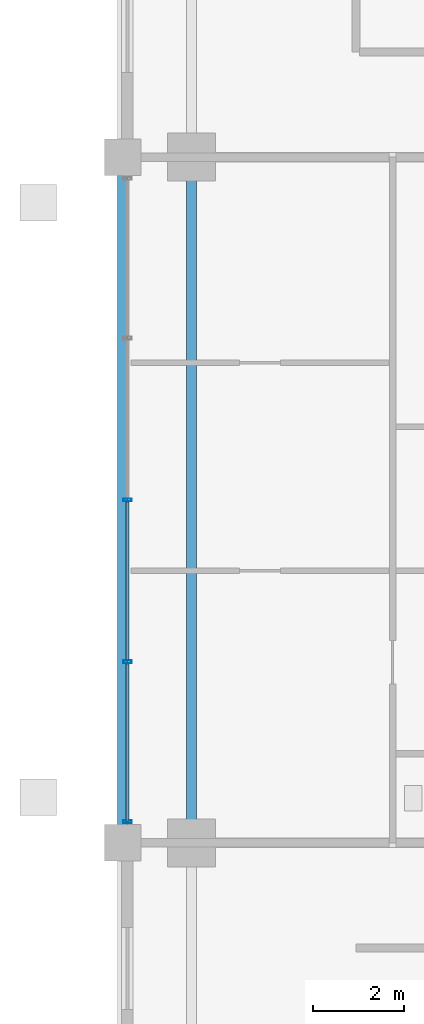
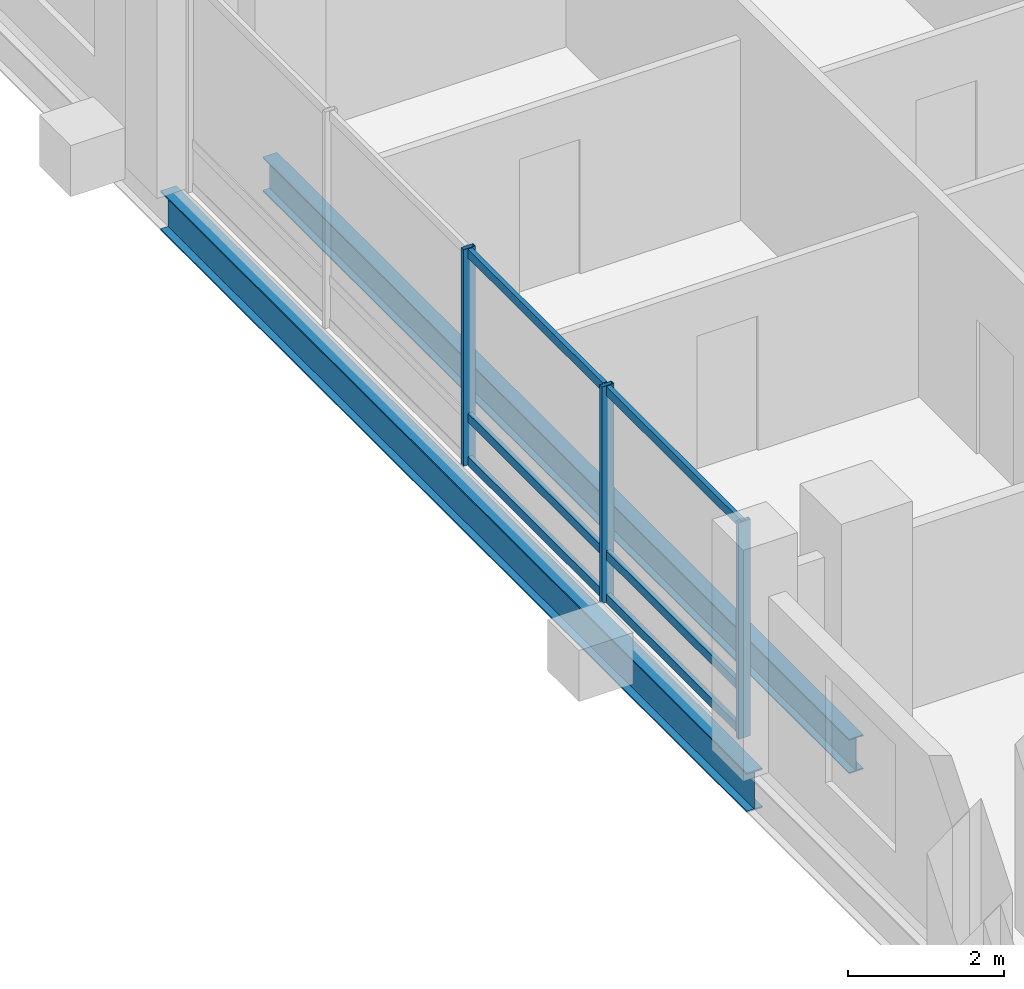
# One storey, part 6 of 24: 9 members, 2 beams, 1 element without a shape of its own.
"""IFC4 building model written with IfcOpenShell, lengths in metres."""

from ifc_helpers import new_model, si_unit, direction, frame, origin, origin_2d, place, context, subcontext, project, spatial, hollow_rectangle, i_section, extrude, material, layer, layer_set, material_profile, profile_set, type_object, element, aggregate, save


model = new_model("IFC4")

# Units and contexts
model_context = context("Model", 3, precision=1e-05, world=origin(), true_north=direction((0.0, 1.0)))
body_context = subcontext(model_context, "Body", "Model", "MODEL_VIEW")
ifc_project = project(units=[si_unit("LENGTHUNIT", "METRE"), si_unit("AREAUNIT", "SQUARE_METRE"), si_unit("VOLUMEUNIT", "CUBIC_METRE"), si_unit("PLANEANGLEUNIT", "RADIAN"), si_unit("MASSUNIT", "GRAM", prefix="KILO")], contexts=[model_context])

# Site, building, storey
site_placement = place(None, origin())
site = spatial("IfcSite", under=ifc_project, at=site_placement, CompositionType="ELEMENT")
building_placement = place(site_placement, origin())
building = spatial("IfcBuilding", under=site, at=building_placement, Name="Barlavira Tower and Art Museum", CompositionType="ELEMENT")
storey_placement = place(building_placement, frame((0.0, 0.0, 190.800048828125)))
storey = spatial("IfcBuildingStorey", under=building, at=storey_placement, Name="L49", CompositionType="ELEMENT", Elevation=190.800048828125)

# Curtain wall, members
ifc_material_1 = material(Name="Low-iron coastal laminated glass", Category="glass")
ifc_layer = layer(ifc_material_1, 0.199951171875, Name="Low-iron coastal laminated glass")
ifc_layer_set = layer_set([ifc_layer], Name="Low-iron coastal laminated glass")
curtain_wall_type = type_object("IfcCurtainWallType", Name="Pale-Metal Unitised Curtain Wall Zone 3", PredefinedType="NOTDEFINED", material=ifc_layer_set)
curtain_wall_placement = place(storey_placement, origin())
curtain_wall = element("IfcCurtainWall", 1, at=curtain_wall_placement, inside=storey, type_object=curtain_wall_type, Name="L49 Curtain Wall CW3-L49-W-B3", PredefinedType="NOTDEFINED")
ifc_material_2 = material(Name="Pale anodised aluminium", Category="aluminium")
ifc_material_profile_1 = material_profile(ifc_material_2, hollow_rectangle(XDim=0.06494140625, YDim=0.179931640625, WallThickness=0.00390625, at=origin_2d()), Name="ALU-MULL 65x180x4")
ifc_profile_set_1 = profile_set([ifc_material_profile_1], Name="Pale anodised aluminium")
member_type_1 = type_object("IfcMemberType", Name="Curtain Wall Pale-Metal Mullion 65x180", PredefinedType="MULLION", material=ifc_profile_set_1)
member_1_placement = place(storey_placement, frame((-18.39990234375, 0.0, 0.0), z_axis=(0.0, 0.0, 1.0), x_axis=(0.0, -1.0, 0.0)))
member_1 = element("IfcMember", 2, at=member_1_placement, type_object=member_type_1, Name="CW3-L49-W-B3 Mullion 2", PredefinedType="MULLION", context=body_context, shape_type="SweptSolid", body=[
    extrude(hollow_rectangle(XDim=0.06494140625, YDim=0.179931640625, WallThickness=0.00390625, at=origin_2d()), origin(), (0.0, 0.0, 1.0), 3.3798828125),
])
member_2_placement = place(storey_placement, frame((-18.39990234375, -3.5400390625, 0.0), z_axis=(0.0, 0.0, 1.0), x_axis=(0.0, -1.0, 0.0)))
member_2 = element("IfcMember", 3, at=member_2_placement, type_object=member_type_1, Name="CW3-L49-W-B3 Mullion 3", PredefinedType="MULLION", context=body_context, shape_type="SweptSolid", body=[
    extrude(hollow_rectangle(XDim=0.06494140625, YDim=0.179931640625, WallThickness=0.00390625, at=origin_2d()), origin(), (0.0, 0.0, 1.0), 3.3798828125),
])
member_3_placement = place(storey_placement, frame((-18.39990234375, -7.034912109375, 0.0), z_axis=(0.0, 0.0, 1.0), x_axis=(0.0, -1.0, 0.0)))
member_3 = element("IfcMember", 4, at=member_3_placement, type_object=member_type_1, Name="CW3-L49-W-B3 Mullion 4", PredefinedType="MULLION", context=body_context, shape_type="SweptSolid", body=[
    extrude(hollow_rectangle(XDim=0.06494140625, YDim=0.179931640625, WallThickness=0.00390625, at=origin_2d()), origin(), (0.0, 0.0, 1.0), 3.3798828125),
])
ifc_material_profile_2 = material_profile(ifc_material_2, hollow_rectangle(XDim=0.06494140625, YDim=0.139892578125, WallThickness=0.00390625, at=origin_2d()), Name="ALU-TRAN 65x140x4")
ifc_profile_set_2 = profile_set([ifc_material_profile_2], Name="Pale anodised aluminium")
member_type_2 = type_object("IfcMemberType", Name="Curtain Wall Pale-Metal Transom 65x140", PredefinedType="USERDEFINED", material=ifc_profile_set_2)
member_4_placement = place(storey_placement, frame((-18.39990234375, -0.044921875, 0.070068359375), z_axis=(0.0, -1.0, 0.0), x_axis=(1.0, 0.0, 0.0)))
member_4 = element("IfcMember", 5, at=member_4_placement, type_object=member_type_2, Name="CW3-L49-W-B3 Transom 2.1", ObjectType="TRANSOM", PredefinedType="USERDEFINED", context=body_context, shape_type="SweptSolid", body=[
    extrude(hollow_rectangle(XDim=0.06494140625, YDim=0.139892578125, WallThickness=0.00390625, at=origin_2d()), origin(), (0.0, 0.0, 1.0), 3.4501953125),
])
member_5_placement = place(storey_placement, frame((-18.39990234375, -0.044921875, 0.743896484375), z_axis=(0.0, -1.0, 0.0), x_axis=(1.0, 0.0, 0.0)))
member_5 = element("IfcMember", 6, at=member_5_placement, type_object=member_type_2, Name="CW3-L49-W-B3 Transom 2.2", ObjectType="TRANSOM", PredefinedType="USERDEFINED", context=body_context, shape_type="SweptSolid", body=[
    extrude(hollow_rectangle(XDim=0.06494140625, YDim=0.139892578125, WallThickness=0.00390625, at=origin_2d()), origin(), (0.0, 0.0, 1.0), 3.4501953125),
])
member_6_placement = place(storey_placement, frame((-18.39990234375, -0.044921875, 3.31005859375), z_axis=(0.0, -1.0, 0.0), x_axis=(1.0, 0.0, 0.0)))
member_6 = element("IfcMember", 7, at=member_6_placement, type_object=member_type_2, Name="CW3-L49-W-B3 Transom 2.3", ObjectType="TRANSOM", PredefinedType="USERDEFINED", context=body_context, shape_type="SweptSolid", body=[
    extrude(hollow_rectangle(XDim=0.06494140625, YDim=0.139892578125, WallThickness=0.00390625, at=origin_2d()), origin(), (0.0, 0.0, 1.0), 3.4501953125),
])
member_7_placement = place(storey_placement, frame((-18.39990234375, -3.5849609375, 0.070068359375), z_axis=(0.0, -1.0, 0.0), x_axis=(1.0, 0.0, 0.0)))
member_7 = element("IfcMember", 8, at=member_7_placement, type_object=member_type_2, Name="CW3-L49-W-B3 Transom 3.1", ObjectType="TRANSOM", PredefinedType="USERDEFINED", context=body_context, shape_type="SweptSolid", body=[
    extrude(hollow_rectangle(XDim=0.06494140625, YDim=0.139892578125, WallThickness=0.00390625, at=origin_2d()), origin(), (0.0, 0.0, 1.0), 3.449951171875),
])
member_8_placement = place(storey_placement, frame((-18.39990234375, -3.5849609375, 0.743896484375), z_axis=(0.0, -1.0, 0.0), x_axis=(1.0, 0.0, 0.0)))
member_8 = element("IfcMember", 9, at=member_8_placement, type_object=member_type_2, Name="CW3-L49-W-B3 Transom 3.2", ObjectType="TRANSOM", PredefinedType="USERDEFINED", context=body_context, shape_type="SweptSolid", body=[
    extrude(hollow_rectangle(XDim=0.06494140625, YDim=0.139892578125, WallThickness=0.00390625, at=origin_2d()), origin(), (0.0, 0.0, 1.0), 3.449951171875),
])
member_9_placement = place(storey_placement, frame((-18.39990234375, -3.5849609375, 3.31005859375), z_axis=(0.0, -1.0, 0.0), x_axis=(1.0, 0.0, 0.0)))
member_9 = element("IfcMember", 10, at=member_9_placement, type_object=member_type_2, Name="CW3-L49-W-B3 Transom 3.3", ObjectType="TRANSOM", PredefinedType="USERDEFINED", context=body_context, shape_type="SweptSolid", body=[
    extrude(hollow_rectangle(XDim=0.06494140625, YDim=0.139892578125, WallThickness=0.00390625, at=origin_2d()), origin(), (0.0, 0.0, 1.0), 3.449951171875),
])
aggregate(curtain_wall, [member_1, member_2, member_3, member_4, member_5, member_6, member_7, member_8, member_9])

# Beams
ifc_material_3 = material(Name="Steel S355", Category="steel")
ifc_material_profile_3 = material_profile(ifc_material_3, i_section(OverallWidth=0.22998046875, OverallDepth=0.616943359375, WebThickness=0.01318359375, FlangeThickness=0.022216796875, at=origin_2d()), Name="W610x140.0")
ifc_profile_set_3 = profile_set([ifc_material_profile_3], Name="Steel S355")
beam_type_1 = type_object("IfcBeamType", Name="Upper Shaft Spandrel Edge Beam W610x140 Steel S355", PredefinedType="SPANDREL", material=ifc_profile_set_3)
beam_1_placement = place(storey_placement, frame((-18.5, -7.5, -0.528564453125), z_axis=(0.0, 1.0, 0.0), x_axis=(-1.0, 0.0, 0.0)))
element("IfcBeam", 11, at=beam_1_placement, inside=storey, type_object=beam_type_1, Name="L49 Spandrel 14", PredefinedType="SPANDREL", context=body_context, shape_type="SweptSolid", body=[
    extrude(i_section(OverallWidth=0.22998046875, OverallDepth=0.616943359375, WebThickness=0.01318359375, FlangeThickness=0.022216796875, at=origin_2d()), origin(), (0.0, 0.0, 1.0), 15.0),
])
ifc_material_profile_4 = material_profile(ifc_material_3, i_section(OverallWidth=0.2109375, OverallDepth=0.5390625, WebThickness=0.01171875, FlangeThickness=0.018798828125, at=origin_2d()), Name="W530x109.0")
ifc_profile_set_4 = profile_set([ifc_material_profile_4], Name="Steel S355")
beam_type_2 = type_object("IfcBeamType", Name="Zone 3-4 Primary Floor Girder W530x109 Steel S355", PredefinedType="BEAM", material=ifc_profile_set_4)
beam_2_placement = place(storey_placement, frame((-17.0, -7.5, -0.489501953125), z_axis=(0.0, 1.0, 0.0), x_axis=(-1.0, 0.0, 0.0)))
element("IfcBeam", 12, at=beam_2_placement, inside=storey, type_object=beam_type_2, Name="L49 Girder M-W2", PredefinedType="BEAM", context=body_context, shape_type="SweptSolid", body=[
    extrude(i_section(OverallWidth=0.2109375, OverallDepth=0.5390625, WebThickness=0.01171875, FlangeThickness=0.018798828125, at=origin_2d()), origin(), (0.0, 0.0, 1.0), 15.0),
])

save(model, "model.ifc")
